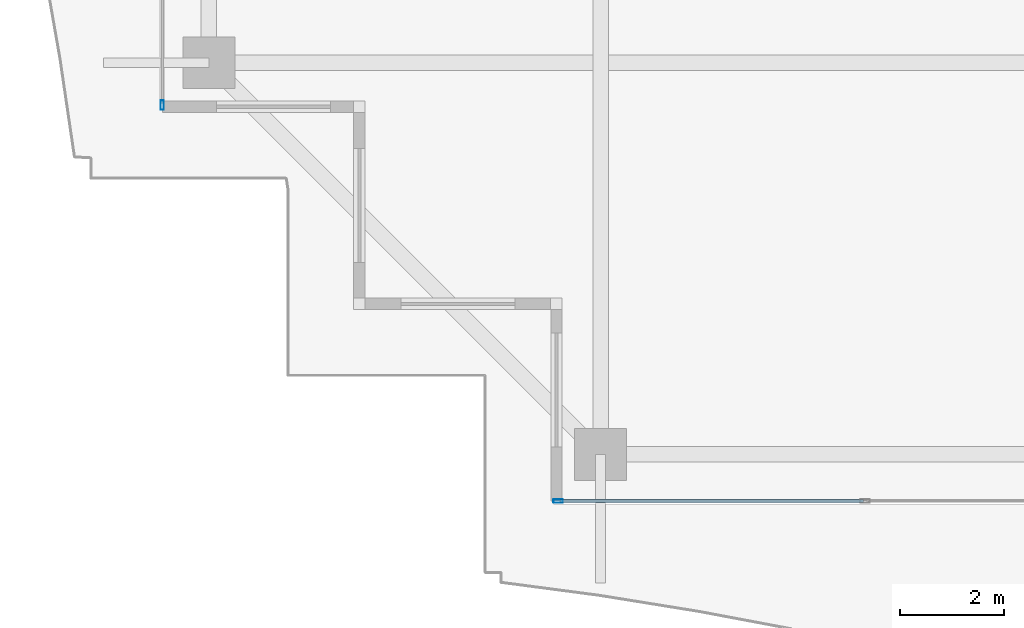
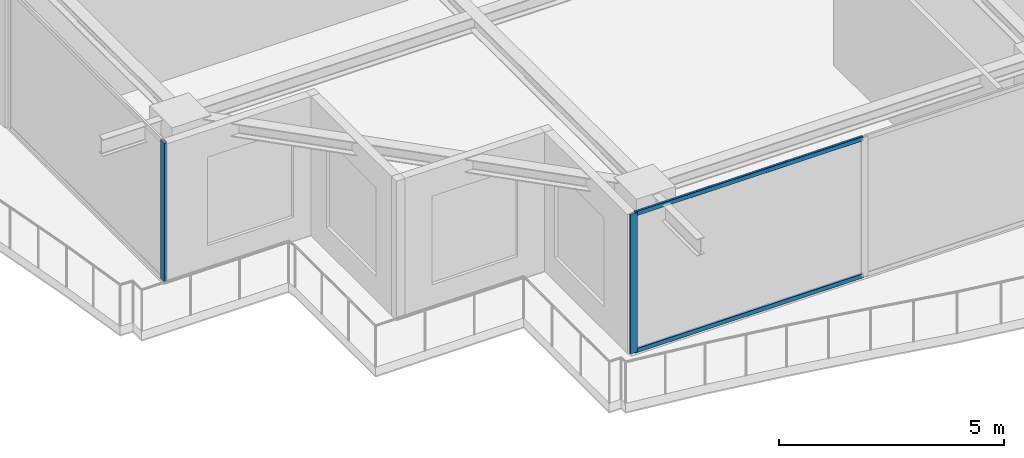
# One storey, part 2 of 37: 4 members, 2 elements without a shape of their own.
"""IFC4 building model written with IfcOpenShell, lengths in metres."""

from ifc_helpers import new_model, si_unit, direction, frame, origin, origin_2d, place, context, subcontext, project, spatial, hollow_rectangle, extrude, source, transform, mapped, material, layer, layer_set, material_profile, profile_set, type_object, element, aggregate, save


model = new_model("IFC4")

# Units and contexts
model_context = context("Model", 3, precision=1e-05, world=origin(), true_north=direction((0.0, 1.0)))
body_context = subcontext(model_context, "Body", "Model", "MODEL_VIEW")
ifc_project = project(units=[si_unit("LENGTHUNIT", "METRE"), si_unit("AREAUNIT", "SQUARE_METRE"), si_unit("VOLUMEUNIT", "CUBIC_METRE"), si_unit("PLANEANGLEUNIT", "RADIAN"), si_unit("MASSUNIT", "GRAM", prefix="KILO")], contexts=[model_context])

# Site, building, storey
site_placement = place(None, origin())
site = spatial("IfcSite", under=ifc_project, at=site_placement, CompositionType="ELEMENT")
building_placement = place(site_placement, origin())
building = spatial("IfcBuilding", under=site, at=building_placement, Name="Serunith Strait Residences", CompositionType="ELEMENT")
storey_placement = place(building_placement, frame((0.0, 0.0, 305.60009765625)))
storey = spatial("IfcBuildingStorey", under=building, at=storey_placement, Name="L76", CompositionType="ELEMENT", Elevation=305.60009765625)

# Curtain wall, member
ifc_material = material(Name="Brushed Stainless-Silver Aluminium", Category="aluminium")
ifc_layer = layer(ifc_material, 0.199951171875, Name="Brushed Stainless-Silver Aluminium")
ifc_layer_set = layer_set([ifc_layer], Name="Brushed Stainless-Silver Aluminium")
curtain_wall_type = type_object("IfcCurtainWallType", Name="CW-SYS5", PredefinedType="NOTDEFINED", material=ifc_layer_set)
curtain_wall_1_placement = place(storey_placement, origin())
curtain_wall_1 = element("IfcCurtainWall", 1, at=curtain_wall_1_placement, inside=storey, type_object=curtain_wall_type, Name="L76 S Unitised Fritted Curtain Wall", PredefinedType="NOTDEFINED")
ifc_material_profile_1 = material_profile(ifc_material, hollow_rectangle(XDim=0.06494140625, YDim=0.179931640625, WallThickness=0.00341796875, InnerFilletRadius=0.00537109375, OuterFilletRadius=0.0087890625, at=origin_2d()), Name="ALU 180x65x3.5")
ifc_profile_set_1 = profile_set([ifc_material_profile_1], Name="Brushed Stainless-Silver Aluminium")
member_type_1 = type_object("IfcMemberType", Name="CW-SYS5-MULL", PredefinedType="MULLION", material=ifc_profile_set_1)
shared_shape_1 = source(origin(), body_context, "Body", "SweptSolid", [
    extrude(hollow_rectangle(XDim=0.06494140625, YDim=0.179931640625, WallThickness=0.00341796875, InnerFilletRadius=0.00537109375, OuterFilletRadius=0.0087890625, at=origin_2d()), origin(), (0.0, 0.0, 1.0), 3.77490234375),
])
member_1_placement = place(storey_placement, frame((16.83251953125, 2.39990234375, 0.0), z_axis=(0.0, 0.0, 1.0), x_axis=(0.0, 1.0, 0.0)))
member_1 = element("IfcMember", 2, at=member_1_placement, type_object=member_type_1, Name="CW-5 mullion 1", PredefinedType="MULLION", context=body_context, shape_type="MappedRepresentation", body=[
    mapped(shared_shape_1, transform((0.0, 0.0, 0.0), scale=1.0)),
])

curtain_wall_2_placement = place(storey_placement, origin())
curtain_wall_2 = element("IfcCurtainWall", 3, at=curtain_wall_2_placement, inside=storey, type_object=curtain_wall_type, Name="L76 W Unitised Fritted Curtain Wall", PredefinedType="NOTDEFINED")
member_2_placement = place(storey_placement, frame((9.199951171875, 10.032470703125, 0.0), z_axis=(0.0, 0.0, 1.0), x_axis=(1.0, 0.0, 0.0)))
member_2 = element("IfcMember", 4, at=member_2_placement, type_object=member_type_1, Name="CW-5 mullion 2", PredefinedType="MULLION", context=body_context, shape_type="MappedRepresentation", body=[
    mapped(shared_shape_1, transform((0.0, 0.0, 0.0), scale=1.0)),
])
aggregate(curtain_wall_2, [member_2])

# Member
ifc_material_profile_2 = material_profile(ifc_material, hollow_rectangle(XDim=0.06005859375, YDim=0.1201171875, WallThickness=0.00341796875, InnerFilletRadius=0.00537109375, OuterFilletRadius=0.0087890625, at=origin_2d()), Name="ALU 120x60x3.5")
ifc_profile_set_2 = profile_set([ifc_material_profile_2], Name="Brushed Stainless-Silver Aluminium")
member_type_2 = type_object("IfcMemberType", Name="CW-SYS5-TRAN", PredefinedType="USERDEFINED", material=ifc_profile_set_2)
shared_shape_2 = source(origin(), body_context, "Body", "SweptSolid", [
    extrude(hollow_rectangle(XDim=0.06005859375, YDim=0.1201171875, WallThickness=0.00341796875, InnerFilletRadius=0.00537109375, OuterFilletRadius=0.0087890625, at=origin_2d()), origin(), (0.0, 0.0, 1.0), 5.8525390625),
])
member_3_placement = place(storey_placement, frame((16.864990234375, 2.39990234375, 0.02978515625), z_axis=(1.0, 0.0, 0.0), x_axis=(0.0, 1.0, 0.0)))
member_3 = element("IfcMember", 5, at=member_3_placement, type_object=member_type_2, Name="CW-5 transom 1.1", ObjectType="TRANSOM", PredefinedType="USERDEFINED", context=body_context, shape_type="MappedRepresentation", body=[
    mapped(shared_shape_2, transform((0.0, 0.0, 0.0), scale=1.0)),
])

member_4_placement = place(storey_placement, frame((16.864990234375, 2.39990234375, 3.744873046875), z_axis=(1.0, 0.0, 0.0), x_axis=(0.0, 1.0, 0.0)))
member_4 = element("IfcMember", 6, at=member_4_placement, type_object=member_type_2, Name="CW-5 transom 1.2", ObjectType="TRANSOM", PredefinedType="USERDEFINED", context=body_context, shape_type="MappedRepresentation", body=[
    mapped(shared_shape_2, transform((0.0, 0.0, 0.0), scale=1.0)),
])

aggregate(curtain_wall_1, [member_1, member_3, member_4])

save(model, "model.ifc")
